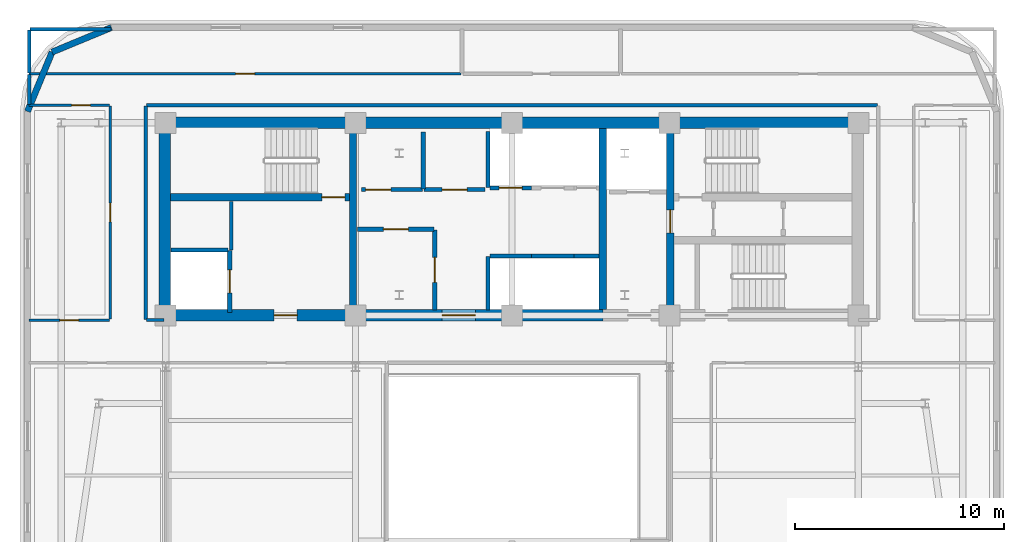
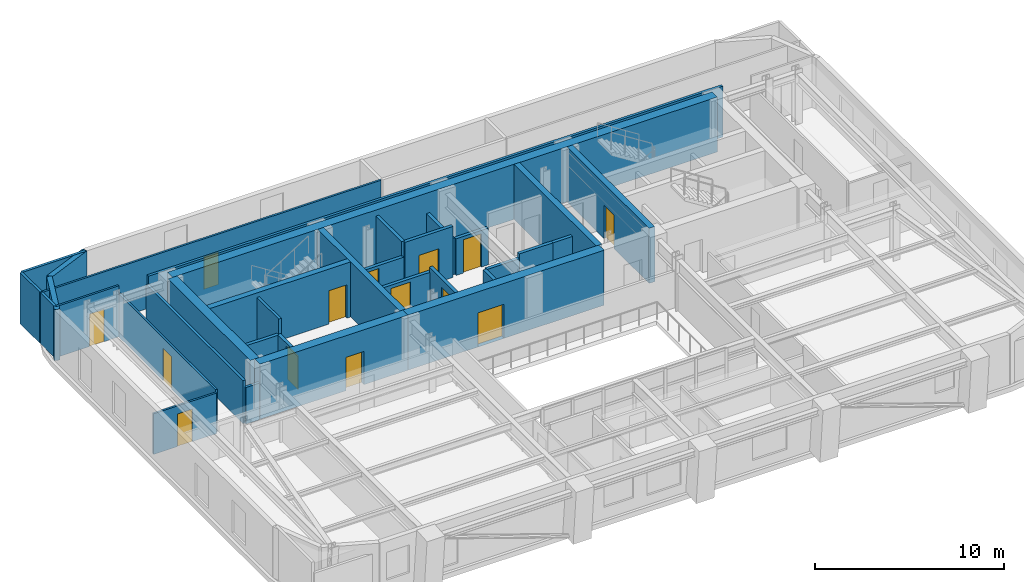
# One storey, part 7 of 13: 34 walls, 14 doors, 14 openings.
"""IFC4 building model written with IfcOpenShell, lengths in metres."""

from ifc_helpers import new_model, si_unit, direction, frame, frame_2d, origin, place, context, subcontext, project, spatial, rectangle, extrude, material, layer, layer_set, type_object, element, fill, save


model = new_model("IFC4")

# Units and contexts
model_context = context("Model", 3, precision=1e-05, world=origin(), true_north=direction((0.0, 1.0)))
body_context = subcontext(model_context, "Body", "Model", "MODEL_VIEW")
ifc_project = project(units=[si_unit("LENGTHUNIT", "METRE"), si_unit("AREAUNIT", "SQUARE_METRE"), si_unit("VOLUMEUNIT", "CUBIC_METRE"), si_unit("PLANEANGLEUNIT", "RADIAN"), si_unit("MASSUNIT", "GRAM", prefix="KILO")], contexts=[model_context])

# Site, building, storey
site_placement = place(None, origin())
site = spatial("IfcSite", under=ifc_project, at=site_placement, CompositionType="ELEMENT")
building_placement = place(site_placement, origin())
building = spatial("IfcBuilding", under=site, at=building_placement, Name="Zarnavel Station Tower", CompositionType="ELEMENT")
storey_placement = place(building_placement, frame((0.0, 0.0, 180.300048828125)))
storey = spatial("IfcBuildingStorey", under=building, at=storey_placement, Name="L49", CompositionType="ELEMENT", Elevation=180.300048828125)

# Walls
ifc_material_1 = material(Name="Concrete C50/60", Category="concrete")
ifc_layer_1 = layer(ifc_material_1, 0.35009765625)
ifc_layer_set_1 = layer_set([ifc_layer_1], Name="CW_350")
wall_type_1 = type_object("IfcWallType", Name="CW_350", PredefinedType="SHEAR", material=ifc_layer_set_1)
for number, where, z_axis, x_axis, name in (
    (1, (21.179931640625, 28.094970703125, 0.0), (0.0, 0.0, 1.0), (0.0, 1.0, 0.0), "L49 Rear Core Shear Wall DIV-W"),
    (2, (33.14990234375, 28.094970703125, 0.0), (0.0, 0.0, 1.0), (0.0, 1.0, 0.0), "L49 Rear Core Shear Wall DIV-E"),
):
    element("IfcWall", number, at=place(storey_placement, frame(where, z_axis=z_axis, x_axis=x_axis)), inside=storey, type_object=wall_type_1, Name=name, PredefinedType="SHEAR", context=body_context, shape_type="SweptSolid", body=[
        extrude(rectangle(XDim=8.679931640625, YDim=0.35009765625, at=frame_2d((4.33984375, 0.0))), origin(), (0.0, 0.0, 1.0), 3.550048828125),
    ])

# Wall, opening, door
wall_1_placement = place(storey_placement, frame((36.3798828125, 28.094970703125, 0.0), z_axis=(0.0, 0.0, 1.0), x_axis=(0.0, 1.0, 0.0)))
wall_1 = element("IfcWall", 3, at=wall_1_placement, inside=storey, type_object=wall_type_1, Name="L49 Rear Core Shear Wall DIV-S2", PredefinedType="SHEAR", context=body_context, shape_type="SweptSolid", body=[
    extrude(rectangle(XDim=8.679931640625, YDim=0.35009765625, at=frame_2d((4.33984375, 0.0))), origin(), (0.0, 0.0, 1.0), 3.550048828125),
])
opening_1_placement = place(wall_1_placement, frame((3.68505859375, 0.0, 0.0)))
opening_1 = element("IfcOpeningElement", 4, at=opening_1_placement, cuts=wall_1, Name="Opening FD01", PredefinedType="OPENING", context=body_context, shape_type="SweptSolid", body=[
    extrude(rectangle(XDim=1.10009765625, YDim=2.14990234375, at=frame_2d((0.550048828125, 1.074951171875))), frame((0.0, 0.18505859375, 0.0), z_axis=(0.0, -1.0, 0.0), x_axis=(1.0, 0.0, 0.0)), (0.0, 0.0, 1.0), 0.3701171875),
])
ifc_material_2 = material(Name="Painted Galvanised Steel and Hardwood Leaf", Category="steel")
door_type_1 = type_object("IfcDoorType", Name="ID_STAIR_1100", OperationType="NOTDEFINED", PredefinedType="DOOR", material=ifc_material_2)
door_1_placement = place(opening_1_placement, origin())
door_1 = element("IfcDoor", 5, at=door_1_placement, inside=storey, type_object=door_type_1, Name="L49 East Stair Vestibule Fire Door", OperationType="SINGLE_SWING_LEFT", OverallHeight=2.14990234375, OverallWidth=1.10009765625, PredefinedType="DOOR", context=body_context, shape_type="SweptSolid", body=[
    extrude(rectangle(XDim=1.10009765625, YDim=2.14990234375, at=frame_2d((0.550048828125, 1.074951171875))), frame((0.0, 0.02490234375, 0.0), z_axis=(0.0, -1.0, 0.0), x_axis=(1.0, 0.0, 0.0)), (0.0, 0.0, 1.0), 0.050048828125),
])
fill(opening_1, door_1)

wall_2_placement = place(storey_placement, frame((21.0048828125, 33.47998046875, 0.0), z_axis=(0.0, 0.0, 1.0), x_axis=(-1.0, 0.0, 0.0)))
wall_2 = element("IfcWall", 6, at=wall_2_placement, inside=storey, type_object=wall_type_1, Name="L49 Rear Core Shear Wall DIV-H1", PredefinedType="SHEAR", context=body_context, shape_type="SweptSolid", body=[
    extrude(rectangle(XDim=8.579833984375, YDim=0.35009765625, at=frame_2d((4.2900390625, 0.0))), origin(), (0.0, 0.0, 1.0), 3.550048828125),
])
opening_2_placement = place(wall_2_placement, frame((0.219970703125, 0.0, 0.0)))
opening_2 = element("IfcOpeningElement", 7, at=opening_2_placement, cuts=wall_2, Name="Opening FD01", PredefinedType="OPENING", context=body_context, shape_type="SweptSolid", body=[
    extrude(rectangle(XDim=1.10009765625, YDim=2.14990234375, at=frame_2d((0.550048828125, 1.074951171875))), frame((0.0, 0.18505859375, 0.0), z_axis=(0.0, -1.0, 0.0), x_axis=(1.0, 0.0, 0.0)), (0.0, 0.0, 1.0), 0.3701171875),
])
door_2_placement = place(opening_2_placement, origin())
door_2 = element("IfcDoor", 8, at=door_2_placement, inside=storey, type_object=door_type_1, Name="L49 Stair ST1 Lobby Fire Door", OperationType="SINGLE_SWING_LEFT", OverallHeight=2.14990234375, OverallWidth=1.10009765625, PredefinedType="DOOR", context=body_context, shape_type="SweptSolid", body=[
    extrude(rectangle(XDim=1.10009765625, YDim=2.14990234375, at=frame_2d((0.550048828125, 1.074951171875))), frame((0.0, 0.02490234375, 0.0), z_axis=(0.0, -1.0, 0.0), x_axis=(1.0, 0.0, 0.0)), (0.0, 0.0, 1.0), 0.050048828125),
])
fill(opening_2, door_2)

# Wall
ifc_material_3 = material(Name="Concrete C50/60", Category="concrete")
ifc_layer_2 = layer(ifc_material_3, 0.550048828125)
ifc_layer_set_2 = layer_set([ifc_layer_2], Name="CW_550")
wall_type_2 = type_object("IfcWallType", Name="CW_550", PredefinedType="SHEAR", material=ifc_layer_set_2)
wall_3_placement = place(storey_placement, frame((12.14990234375, 37.050048828125, 0.0), z_axis=(0.0, 0.0, 1.0), x_axis=(1.0, 0.0, 0.0)))
element("IfcWall", 9, at=wall_3_placement, inside=storey, type_object=wall_type_2, Name="L49 Rear Core Shear Wall N", PredefinedType="SHEAR", context=body_context, shape_type="SweptSolid", body=[
    extrude(rectangle(XDim=33.22998046875, YDim=0.550048828125, at=frame_2d((16.614990234375, 0.0))), origin(), (0.0, 0.0, 1.0), 3.550048828125),
])

# Wall, opening, door
wall_4_placement = place(storey_placement, frame((21.179931640625, 27.820068359375, 0.0), z_axis=(0.0, 0.0, 1.0), x_axis=(-1.0, 0.0, 0.0)))
wall_4 = element("IfcWall", 10, at=wall_4_placement, inside=storey, type_object=wall_type_2, Name="L49 Rear Core Shear Wall S-W", PredefinedType="SHEAR", context=body_context, shape_type="SweptSolid", body=[
    extrude(rectangle(XDim=9.030029296875, YDim=0.550048828125, at=frame_2d((4.51513671875, 0.0))), origin(), (0.0, 0.0, 1.0), 3.550048828125),
])
opening_3_placement = place(wall_4_placement, frame((2.679931640625, 0.0, 0.0)))
opening_3 = element("IfcOpeningElement", 11, at=opening_3_placement, cuts=wall_4, Name="Opening FD01", PredefinedType="OPENING", context=body_context, shape_type="SweptSolid", body=[
    extrude(rectangle(XDim=1.10009765625, YDim=2.14990234375, at=frame_2d((0.550048828125, 1.074951171875))), frame((0.0, 0.284912109375, 0.0), z_axis=(0.0, -1.0, 0.0), x_axis=(1.0, 0.0, 0.0)), (0.0, 0.0, 1.0), 0.570068359375),
])
door_3_placement = place(opening_3_placement, origin())
door_3 = element("IfcDoor", 12, at=door_3_placement, inside=storey, type_object=door_type_1, Name="L49 West Firefighting Lobby Door", OperationType="SINGLE_SWING_RIGHT", OverallHeight=2.14990234375, OverallWidth=1.10009765625, PredefinedType="DOOR", context=body_context, shape_type="SweptSolid", body=[
    extrude(rectangle(XDim=1.10009765625, YDim=2.14990234375, at=frame_2d((0.550048828125, 1.074951171875))), frame((0.0, 0.02490234375, 0.0), z_axis=(0.0, -1.0, 0.0), x_axis=(1.0, 0.0, 0.0)), (0.0, 0.0, 1.0), 0.050048828125),
])
fill(opening_3, door_3)

wall_5_placement = place(storey_placement, frame((33.14990234375, 27.820068359375, 0.0), z_axis=(0.0, 0.0, 1.0), x_axis=(-1.0, 0.0, 0.0)))
wall_5 = element("IfcWall", 13, at=wall_5_placement, inside=storey, type_object=wall_type_2, Name="L49 Rear Core Shear Wall S-M", PredefinedType="SHEAR", context=body_context, shape_type="SweptSolid", body=[
    extrude(rectangle(XDim=11.969970703125, YDim=0.550048828125, at=frame_2d((5.98486328125, 0.0))), origin(), (0.0, 0.0, 1.0), 3.550048828125),
])
opening_4_placement = place(wall_5_placement, frame((6.10009765625, 0.0, 0.0)))
opening_4 = element("IfcOpeningElement", 14, at=opening_4_placement, cuts=wall_5, Name="Opening ID03", PredefinedType="OPENING", context=body_context, shape_type="SweptSolid", body=[
    extrude(rectangle(XDim=1.60009765625, YDim=2.199951171875, at=frame_2d((0.800048828125, 1.10009765625))), frame((0.0, 0.284912109375, 0.0), z_axis=(0.0, -1.0, 0.0), x_axis=(1.0, 0.0, 0.0)), (0.0, 0.0, 1.0), 0.570068359375),
])
ifc_material_4 = material(Name="Painted Galvanised Steel and Hardwood Leaf", Category="steel")
door_type_2 = type_object("IfcDoorType", Name="ID_PUBLIC_1600", OperationType="DOUBLE_DOOR_SINGLE_SWING", PredefinedType="DOOR", material=ifc_material_4)
door_4_placement = place(opening_4_placement, origin())
door_4 = element("IfcDoor", 15, at=door_4_placement, inside=storey, type_object=door_type_2, Name="L49 Passenger Lift Lobby Double Door", OperationType="SINGLE_SWING_LEFT", OverallHeight=2.199951171875, OverallWidth=1.60009765625, PredefinedType="DOOR", context=body_context, shape_type="SweptSolid", body=[
    extrude(rectangle(XDim=1.60009765625, YDim=2.199951171875, at=frame_2d((0.800048828125, 1.10009765625))), frame((0.0, 0.02490234375, 0.0), z_axis=(0.0, -1.0, 0.0), x_axis=(1.0, 0.0, 0.0)), (0.0, 0.0, 1.0), 0.050048828125),
])
fill(opening_4, door_4)

# Walls
wall_6_placement = place(storey_placement, frame((12.14990234375, 28.094970703125, 0.0), z_axis=(0.0, 0.0, 1.0), x_axis=(0.0, 1.0, 0.0)))
element("IfcWall", 16, at=wall_6_placement, inside=storey, type_object=wall_type_2, Name="L49 Rear Core Shear Wall W", PredefinedType="SHEAR", context=body_context, shape_type="SweptSolid", body=[
    extrude(rectangle(XDim=8.679931640625, YDim=0.550048828125, at=frame_2d((4.33984375, 0.0))), origin(), (0.0, 0.0, 1.0), 3.550048828125),
])
ifc_material_5 = material(Name="Precast concrete C45/55 (Dark Basalt Finish)", Category="masonry")
ifc_layer_3 = layer(ifc_material_5, 0.300048828125)
ifc_layer_set_3 = layer_set([ifc_layer_3], Name="EW_BASALT_300")
wall_type_3 = type_object("IfcWallType", Name="EW_BASALT_300", PredefinedType="SOLIDWALL", material=ifc_layer_set_3)
wall_7_placement = place(storey_placement, frame((6.75732421875, 40.442626953125, 0.0), z_axis=(0.0, 0.0, 1.0), x_axis=(0.923882414032, 0.382676475685, 0.0)))
element("IfcWall", 17, at=wall_7_placement, inside=storey, type_object=wall_type_3, Name="L49 Exterior Basalt Masonry Frame Wall 07", PredefinedType="SOLIDWALL", context=body_context, shape_type="SweptSolid", body=[
    extrude(rectangle(XDim=3.076904296875, YDim=0.300048828125, at=frame_2d((1.53857421875, 0.0))), origin(), (0.0, 0.0, 1.0), 3.2900390625),
])
wall_8_placement = place(storey_placement, frame((5.580078125, 37.60009765625, 0.0), z_axis=(0.0, 0.0, 1.0), x_axis=(0.382636798336, 0.92389884758, 0.0)))
element("IfcWall", 18, at=wall_8_placement, inside=storey, type_object=wall_type_3, Name="L49 Exterior Basalt Masonry Frame Wall 08", PredefinedType="SOLIDWALL", context=body_context, shape_type="SweptSolid", body=[
    extrude(rectangle(XDim=3.07666015625, YDim=0.300048828125, at=frame_2d((1.538330078125, 0.0))), origin(), (0.0, 0.0, 1.0), 3.2900390625),
])
ifc_material_6 = material(Name="Gypsum Twin-Stud Acoustic Fire Partition", Category="concrete")
ifc_layer_4 = layer(ifc_material_6, 0.159912109375)
ifc_layer_set_4 = layer_set([ifc_layer_4], Name="PT_DEMISE_160")
wall_type_4 = type_object("IfcWallType", Name="PT_DEMISE_160", PredefinedType="PARTITIONING", material=ifc_layer_set_4)
wall_9_placement = place(storey_placement, frame((15.35009765625, 30.9599609375, 0.0), z_axis=(0.0, 0.0, 1.0), x_axis=(0.0, 1.0, 0.0)))
element("IfcWall", 19, at=wall_9_placement, inside=storey, type_object=wall_type_4, Name="L49 Enclosure Wall FFL1", PredefinedType="PARTITIONING", context=body_context, shape_type="SweptSolid", body=[
    extrude(rectangle(XDim=2.31005859375, YDim=0.159912109375, at=frame_2d((1.155029296875, 0.0))), origin(), (0.0, 0.0, 1.0), 3.2900390625),
])
wall_10_placement = place(storey_placement, frame((11.280029296875, 27.60009765625, 0.0), z_axis=(0.0, 0.0, 1.0), x_axis=(1.0, 0.0, 0.0)))
element("IfcWall", 20, at=wall_10_placement, inside=storey, type_object=wall_type_4, Name="L49 Enclosure Wall COR-S", PredefinedType="PARTITIONING", context=body_context, shape_type="SweptSolid", body=[
    extrude(rectangle(XDim=0.840087890625, YDim=0.159912109375, at=frame_2d((0.419921875, 0.0))), origin(), (0.0, 0.0, 1.0), 2.35986328125),
])
wall_11_placement = place(storey_placement, frame((11.25, 27.6298828125, 0.0), z_axis=(0.0, 0.0, 1.0), x_axis=(0.0, 1.0, 0.0)))
element("IfcWall", 21, at=wall_11_placement, inside=storey, type_object=wall_type_4, Name="L49 Enclosure Wall COR-W", PredefinedType="PARTITIONING", context=body_context, shape_type="SweptSolid", body=[
    extrude(rectangle(XDim=10.240234375, YDim=0.159912109375, at=frame_2d((5.1201171875, 0.0))), origin(), (0.0, 0.0, 1.0), 2.77001953125),
])
wall_12_placement = place(storey_placement, frame((11.280029296875, 37.89990234375, 0.0), z_axis=(0.0, 0.0, 1.0), x_axis=(1.0, 0.0, 0.0)))
element("IfcWall", 22, at=wall_12_placement, inside=storey, type_object=wall_type_4, Name="L49 Enclosure Wall COR-N", PredefinedType="PARTITIONING", context=body_context, shape_type="SweptSolid", body=[
    extrude(rectangle(XDim=35.0400390625, YDim=0.159912109375, at=frame_2d((17.52001953125, 0.0))), origin(), (0.0, 0.0, 1.0), 3.2900390625),
])
wall_13_placement = place(storey_placement, frame((5.659912109375, 37.929931640625, 0.0), z_axis=(0.0, 0.0, 1.0), x_axis=(0.0, 1.0, 0.0)))
element("IfcWall", 23, at=wall_13_placement, inside=storey, type_object=wall_type_4, Name="L49 Enclosure Wall COR-N", PredefinedType="PARTITIONING", context=body_context, shape_type="SweptSolid", body=[
    extrude(rectangle(XDim=1.440185546875, YDim=0.159912109375, at=frame_2d((0.72021484375, 0.0))), origin(), (0.0, 0.0, 1.0), 3.2900390625),
])
wall_14_placement = place(storey_placement, frame((5.68994140625, 41.5400390625, 0.0), z_axis=(0.0, 0.0, 1.0), x_axis=(1.0, 0.0, 0.0)))
element("IfcWall", 24, at=wall_14_placement, inside=storey, type_object=wall_type_4, Name="L49 Enclosure Wall NSTD", PredefinedType="PARTITIONING", context=body_context, shape_type="SweptSolid", body=[
    extrude(rectangle(XDim=3.880126953125, YDim=0.159912109375, at=frame_2d((1.93994140625, 0.0))), origin(), (0.0, 0.0, 1.0), 3.2900390625),
])
wall_15_placement = place(storey_placement, frame((5.659912109375, 39.429931640625, 0.0), z_axis=(0.0, 0.0, 1.0), x_axis=(0.0, 1.0, 0.0)))
element("IfcWall", 25, at=wall_15_placement, inside=storey, type_object=wall_type_4, Name="L49 Enclosure Wall NSTD", PredefinedType="PARTITIONING", context=body_context, shape_type="SweptSolid", body=[
    extrude(rectangle(XDim=2.080078125, YDim=0.159912109375, at=frame_2d((1.0400390625, 0.0))), origin(), (0.0, 0.0, 1.0), 3.2900390625),
])

# Wall, opening, door
ifc_material_7 = material(Name="Gypsum Metal-Stud Interior Partition", Category="concrete")
ifc_layer_5 = layer(ifc_material_7, 0.1201171875)
ifc_layer_set_5 = layer_set([ifc_layer_5], Name="PT_ROOM_120")
wall_type_5 = type_object("IfcWallType", Name="PT_ROOM_120", PredefinedType="PARTITIONING", material=ifc_layer_set_5)
wall_16_placement = place(storey_placement, frame((5.659912109375, 27.60009765625, 0.0), z_axis=(0.0, 0.0, 1.0), x_axis=(1.0, 0.0, 0.0)))
wall_16 = element("IfcWall", 26, at=wall_16_placement, inside=storey, type_object=wall_type_5, Name="L49 Partition COR-S-FNW", PredefinedType="PARTITIONING", context=body_context, shape_type="SweptSolid", body=[
    extrude(rectangle(XDim=3.85009765625, YDim=0.1201171875, at=frame_2d((1.925048828125, 0.0))), origin(), (0.0, 0.0, 1.0), 2.619873046875),
])
opening_5_placement = place(wall_16_placement, frame((1.47509765625, 0.0, 0.0)))
opening_5 = element("IfcOpeningElement", 27, at=opening_5_placement, cuts=wall_16, Name="Opening ID01", PredefinedType="OPENING", context=body_context, shape_type="SweptSolid", body=[
    extrude(rectangle(XDim=0.89990234375, YDim=2.10009765625, at=frame_2d((0.449951171875, 1.050048828125))), frame((0.0, 0.070068359375, 0.0), z_axis=(0.0, -1.0, 0.0), x_axis=(1.0, 0.0, 0.0)), (0.0, 0.0, 1.0), 0.14013671875),
])
ifc_material_8 = material(Name="Painted Galvanised Steel and Hardwood Leaf", Category="steel")
door_type_3 = type_object("IfcDoorType", Name="ID_ROOM_900", OperationType="NOTDEFINED", PredefinedType="DOOR", material=ifc_material_8)
door_5_placement = place(opening_5_placement, origin())
door_5 = element("IfcDoor", 28, at=door_5_placement, inside=storey, type_object=door_type_3, Name="L49 Door COR-S-FNW", OperationType="SINGLE_SWING_RIGHT", OverallHeight=2.10009765625, OverallWidth=0.89990234375, PredefinedType="DOOR", context=body_context, shape_type="SweptSolid", body=[
    extrude(rectangle(XDim=0.89990234375, YDim=2.10009765625, at=frame_2d((0.449951171875, 1.050048828125))), frame((0.0, 0.02490234375, 0.0), z_axis=(0.0, -1.0, 0.0), x_axis=(1.0, 0.0, 0.0)), (0.0, 0.0, 1.0), 0.050048828125),
])
fill(opening_5, door_5)

wall_17_placement = place(storey_placement, frame((9.550048828125, 27.639892578125, 0.0), z_axis=(0.0, 0.0, 1.0), x_axis=(0.0, 1.0, 0.0)))
wall_17 = element("IfcWall", 29, at=wall_17_placement, inside=storey, type_object=wall_type_5, Name="L49 Partition COR-W-FNW", PredefinedType="PARTITIONING", context=body_context, shape_type="SweptSolid", body=[
    extrude(rectangle(XDim=10.22021484375, YDim=0.1201171875, at=frame_2d((5.110107421875, 0.0))), origin(), (0.0, 0.0, 1.0), 2.77001953125),
])
opening_6_placement = place(wall_17_placement, frame((4.659912109375, 0.0, 0.0)))
opening_6 = element("IfcOpeningElement", 30, at=opening_6_placement, cuts=wall_17, Name="Opening ID01", PredefinedType="OPENING", context=body_context, shape_type="SweptSolid", body=[
    extrude(rectangle(XDim=0.89990234375, YDim=2.10009765625, at=frame_2d((0.449951171875, 1.050048828125))), frame((0.0, 0.070068359375, 0.0), z_axis=(0.0, -1.0, 0.0), x_axis=(1.0, 0.0, 0.0)), (0.0, 0.0, 1.0), 0.14013671875),
])
door_6_placement = place(opening_6_placement, origin())
door_6 = element("IfcDoor", 31, at=door_6_placement, inside=storey, type_object=door_type_3, Name="L49 Door COR-W-FNW", OperationType="SINGLE_SWING_LEFT", OverallHeight=2.10009765625, OverallWidth=0.89990234375, PredefinedType="DOOR", context=body_context, shape_type="SweptSolid", body=[
    extrude(rectangle(XDim=0.89990234375, YDim=2.10009765625, at=frame_2d((0.449951171875, 1.050048828125))), frame((0.0, 0.02490234375, 0.0), z_axis=(0.0, -1.0, 0.0), x_axis=(1.0, 0.0, 0.0)), (0.0, 0.0, 1.0), 0.050048828125),
])
fill(opening_6, door_6)

wall_18_placement = place(storey_placement, frame((5.659912109375, 37.89990234375, 0.0), z_axis=(0.0, 0.0, 1.0), x_axis=(1.0, 0.0, 0.0)))
wall_18 = element("IfcWall", 32, at=wall_18_placement, inside=storey, type_object=wall_type_5, Name="L49 Partition COR-N-FNW", PredefinedType="PARTITIONING", context=body_context, shape_type="SweptSolid", body=[
    extrude(rectangle(XDim=3.85009765625, YDim=0.1201171875, at=frame_2d((1.925048828125, 0.0))), origin(), (0.0, 0.0, 1.0), 3.2900390625),
])
opening_7_placement = place(wall_18_placement, frame((2.03125, 0.0, 0.0)))
opening_7 = element("IfcOpeningElement", 33, at=opening_7_placement, cuts=wall_18, Name="Opening ID01", PredefinedType="OPENING", context=body_context, shape_type="SweptSolid", body=[
    extrude(rectangle(XDim=0.89990234375, YDim=2.10009765625, at=frame_2d((0.449951171875, 1.050048828125))), frame((0.0, 0.070068359375, 0.0), z_axis=(0.0, -1.0, 0.0), x_axis=(1.0, 0.0, 0.0)), (0.0, 0.0, 1.0), 0.14013671875),
])
door_7_placement = place(opening_7_placement, origin())
door_7 = element("IfcDoor", 34, at=door_7_placement, inside=storey, type_object=door_type_3, Name="L49 Door COR-N-FNW", OperationType="SINGLE_SWING_LEFT", OverallHeight=2.10009765625, OverallWidth=0.89990234375, PredefinedType="DOOR", context=body_context, shape_type="SweptSolid", body=[
    extrude(rectangle(XDim=0.89990234375, YDim=2.10009765625, at=frame_2d((0.449951171875, 1.050048828125))), frame((0.0, 0.02490234375, 0.0), z_axis=(0.0, -1.0, 0.0), x_axis=(1.0, 0.0, 0.0)), (0.0, 0.0, 1.0), 0.050048828125),
])
fill(opening_7, door_7)

wall_19_placement = place(storey_placement, frame((5.659912109375, 39.39990234375, 0.0), z_axis=(0.0, 0.0, 1.0), x_axis=(1.0, 0.0, 0.0)))
wall_19 = element("IfcWall", 35, at=wall_19_placement, inside=storey, type_object=wall_type_5, Name="L49 Partition COR-N-NSTD", PredefinedType="PARTITIONING", context=body_context, shape_type="SweptSolid", body=[
    extrude(rectangle(XDim=20.7001953125, YDim=0.1201171875, at=frame_2d((10.35009765625, 0.0))), origin(), (0.0, 0.0, 1.0), 3.2900390625),
])
opening_8_placement = place(wall_19_placement, frame((9.89990234375, 0.0, 0.0)))
opening_8 = element("IfcOpeningElement", 36, at=opening_8_placement, cuts=wall_19, Name="Opening ID01", PredefinedType="OPENING", context=body_context, shape_type="SweptSolid", body=[
    extrude(rectangle(XDim=0.89990234375, YDim=2.10009765625, at=frame_2d((0.449951171875, 1.050048828125))), frame((0.0, 0.070068359375, 0.0), z_axis=(0.0, -1.0, 0.0), x_axis=(1.0, 0.0, 0.0)), (0.0, 0.0, 1.0), 0.14013671875),
])
door_8_placement = place(opening_8_placement, origin())
door_8 = element("IfcDoor", 37, at=door_8_placement, inside=storey, type_object=door_type_3, Name="L49 Door COR-N-NSTD", OperationType="SINGLE_SWING_LEFT", OverallHeight=2.10009765625, OverallWidth=0.89990234375, PredefinedType="DOOR", context=body_context, shape_type="SweptSolid", body=[
    extrude(rectangle(XDim=0.89990234375, YDim=2.10009765625, at=frame_2d((0.449951171875, 1.050048828125))), frame((0.0, 0.02490234375, 0.0), z_axis=(0.0, -1.0, 0.0), x_axis=(1.0, 0.0, 0.0)), (0.0, 0.0, 1.0), 0.050048828125),
])
fill(opening_8, door_8)

ifc_material_9 = material(Name="Precast concrete C45/55 (Fire Shaft Blockwork)", Category="masonry")
ifc_layer_6 = layer(ifc_material_9, 0.199951171875)
ifc_layer_set_6 = layer_set([ifc_layer_6], Name="PT_SHAFT_200")
wall_type_6 = type_object("IfcWallType", Name="PT_SHAFT_200", PredefinedType="PARTITIONING", material=ifc_layer_set_6)
wall_20_placement = place(storey_placement, frame((15.27001953125, 27.969970703125, 0.0), z_axis=(0.0, 0.0, 1.0), x_axis=(0.0, 1.0, 0.0)))
wall_20 = element("IfcWall", 38, at=wall_20_placement, inside=storey, type_object=wall_type_6, Name="L49 Lift FFL-01 Shaft Front Wall", PredefinedType="PARTITIONING", context=body_context, shape_type="SweptSolid", body=[
    extrude(rectangle(XDim=2.9599609375, YDim=0.199951171875, at=frame_2d((1.47998046875, 0.0))), origin(), (0.0, 0.0, 1.0), 2.35986328125),
])
opening_9_placement = place(wall_20_placement, frame((0.929931640625, 0.0, 0.0)))
opening_9 = element("IfcOpeningElement", 39, at=opening_9_placement, cuts=wall_20, Name="Opening LD01", PredefinedType="OPENING", context=body_context, shape_type="SweptSolid", body=[
    extrude(rectangle(XDim=1.10009765625, YDim=2.14990234375, at=frame_2d((0.550048828125, 1.074951171875))), frame((0.0, 0.10986328125, 0.0), z_axis=(0.0, -1.0, 0.0), x_axis=(1.0, 0.0, 0.0)), (0.0, 0.0, 1.0), 0.219970703125),
])
ifc_material_10 = material(Name="Painted Galvanised Steel and Hardwood Leaf", Category="steel")
door_type_4 = type_object("IfcDoorType", Name="LD_FF_1100", OperationType="DOUBLE_DOOR_SLIDING", PredefinedType="DOOR", material=ifc_material_10)
door_9_placement = place(opening_9_placement, origin())
door_9 = element("IfcDoor", 40, at=door_9_placement, inside=storey, type_object=door_type_4, Name="L49 Lift FFL-01 Sliding Landing Door", OperationType="DOUBLE_DOOR_SLIDING", OverallHeight=2.14990234375, OverallWidth=1.10009765625, PredefinedType="DOOR", context=body_context, shape_type="SweptSolid", body=[
    extrude(rectangle(XDim=1.10009765625, YDim=2.14990234375, at=frame_2d((0.550048828125, 1.074951171875))), frame((0.0, 0.02490234375, 0.0), z_axis=(0.0, -1.0, 0.0), x_axis=(1.0, 0.0, 0.0)), (0.0, 0.0, 1.0), 0.050048828125),
])
fill(opening_9, door_9)

# Walls
wall_21_placement = place(storey_placement, frame((12.449951171875, 30.949951171875, 0.0), z_axis=(0.0, 0.0, 1.0), x_axis=(1.0, 0.0, 0.0)))
element("IfcWall", 41, at=wall_21_placement, inside=storey, type_object=wall_type_6, Name="L49 Lift FFL-01 North Shaft Wall", PredefinedType="PARTITIONING", context=body_context, shape_type="SweptSolid", body=[
    extrude(rectangle(XDim=2.75, YDim=0.199951171875, at=frame_2d((1.375, 0.0))), origin(), (0.0, 0.0, 1.0), 2.35986328125),
])
wall_22_placement = place(storey_placement, frame((27.75, 30.669921875, 0.0), z_axis=(0.0, 0.0, 1.0), x_axis=(1.0, 0.0, 0.0)))
element("IfcWall", 42, at=wall_22_placement, inside=storey, type_object=wall_type_6, Name="L49 Lift PL-H1 Shaft Front Wall", PredefinedType="PARTITIONING", context=body_context, shape_type="SweptSolid", body=[
    extrude(rectangle(XDim=1.97509765625, YDim=0.199951171875, at=frame_2d((0.987548828125, 0.0))), origin(), (0.0, 0.0, 1.0), 2.35986328125),
])
wall_23_placement = place(storey_placement, frame((27.64990234375, 28.070068359375, 0.0), z_axis=(0.0, 0.0, 1.0), x_axis=(0.0, 1.0, 0.0)))
element("IfcWall", 43, at=wall_23_placement, inside=storey, type_object=wall_type_6, Name="L49 High-Rise Lift Bank West Shaft Wall", PredefinedType="PARTITIONING", context=body_context, shape_type="SweptSolid", body=[
    extrude(rectangle(XDim=2.579833984375, YDim=0.199951171875, at=frame_2d((1.2900390625, 0.0))), origin(), (0.0, 0.0, 1.0), 2.35986328125),
])
wall_24_placement = place(storey_placement, frame((29.72509765625, 30.669921875, 0.0), z_axis=(0.0, 0.0, 1.0), x_axis=(1.0, 0.0, 0.0)))
element("IfcWall", 44, at=wall_24_placement, inside=storey, type_object=wall_type_6, Name="L49 Lift PL-H2 Shaft Front Wall", PredefinedType="PARTITIONING", context=body_context, shape_type="SweptSolid", body=[
    extrude(rectangle(XDim=2.0498046875, YDim=0.199951171875, at=frame_2d((1.02490234375, 0.0))), origin(), (0.0, 0.0, 1.0), 2.669921875),
])
wall_25_placement = place(storey_placement, frame((31.77490234375, 30.669921875, 0.0), z_axis=(0.0, 0.0, 1.0), x_axis=(1.0, 0.0, 0.0)))
element("IfcWall", 45, at=wall_25_placement, inside=storey, type_object=wall_type_6, Name="L49 Lift PL-H3 Shaft Front Wall", PredefinedType="PARTITIONING", context=body_context, shape_type="SweptSolid", body=[
    extrude(rectangle(XDim=1.2001953125, YDim=0.199951171875, at=frame_2d((0.60009765625, 0.0))), origin(), (0.0, 0.0, 1.0), 2.669921875),
])

# Wall, opening, door
wall_26_placement = place(storey_placement, frame((27.75, 33.929931640625, 0.0), z_axis=(0.0, 0.0, 1.0), x_axis=(1.0, 0.0, 0.0)))
wall_26 = element("IfcWall", 46, at=wall_26_placement, inside=storey, type_object=wall_type_6, Name="L49 Lift PL-M1 Shaft Front Wall", PredefinedType="PARTITIONING", context=body_context, shape_type="SweptSolid", body=[
    extrude(rectangle(XDim=1.97509765625, YDim=0.199951171875, at=frame_2d((0.987548828125, 0.0))), origin(), (0.0, 0.0, 1.0), 2.35986328125),
])
opening_10_placement = place(wall_26_placement, frame((0.4375, 0.0, 0.0)))
opening_10 = element("IfcOpeningElement", 47, at=opening_10_placement, cuts=wall_26, Name="Opening LD02", PredefinedType="OPENING", context=body_context, shape_type="SweptSolid", body=[
    extrude(rectangle(XDim=1.10009765625, YDim=2.14990234375, at=frame_2d((0.550048828125, 1.074951171875))), frame((0.0, 0.10986328125, 0.0), z_axis=(0.0, -1.0, 0.0), x_axis=(1.0, 0.0, 0.0)), (0.0, 0.0, 1.0), 0.219970703125),
])
ifc_material_11 = material(Name="Painted Galvanised Steel and Hardwood Leaf", Category="steel")
door_type_5 = type_object("IfcDoorType", Name="LD_PAX_1100", OperationType="DOUBLE_DOOR_SLIDING", PredefinedType="DOOR", material=ifc_material_11)
door_10_placement = place(opening_10_placement, origin())
door_10 = element("IfcDoor", 48, at=door_10_placement, inside=storey, type_object=door_type_5, Name="L49 Lift PL-M1 Sliding Landing Door", OperationType="DOUBLE_DOOR_SLIDING", OverallHeight=2.14990234375, OverallWidth=1.10009765625, PredefinedType="DOOR", context=body_context, shape_type="SweptSolid", body=[
    extrude(rectangle(XDim=1.10009765625, YDim=2.14990234375, at=frame_2d((0.550048828125, 1.074951171875))), frame((0.0, 0.02490234375, 0.0), z_axis=(0.0, -1.0, 0.0), x_axis=(1.0, 0.0, 0.0)), (0.0, 0.0, 1.0), 0.050048828125),
])
fill(opening_10, door_10)

# Wall
wall_27_placement = place(storey_placement, frame((27.64990234375, 33.949951171875, 0.0), z_axis=(0.0, 0.0, 1.0), x_axis=(0.0, 1.0, 0.0)))
element("IfcWall", 49, at=wall_27_placement, inside=storey, type_object=wall_type_6, Name="L49 Mid-Rise Lift Bank West Shaft Wall", PredefinedType="PARTITIONING", context=body_context, shape_type="SweptSolid", body=[
    extrude(rectangle(XDim=2.679931640625, YDim=0.199951171875, at=frame_2d((1.33984375, 0.0))), origin(), (0.0, 0.0, 1.0), 2.35986328125),
])

# Wall, opening, door
wall_28_placement = place(storey_placement, frame((21.39990234375, 31.949951171875, 0.0), z_axis=(0.0, 0.0, 1.0), x_axis=(1.0, 0.0, 0.0)))
wall_28 = element("IfcWall", 50, at=wall_28_placement, inside=storey, type_object=wall_type_6, Name="L49 Partition LLOB-CS1", PredefinedType="PARTITIONING", context=body_context, shape_type="SweptSolid", body=[
    extrude(rectangle(XDim=3.66015625, YDim=0.199951171875, at=frame_2d((1.830078125, 0.0))), origin(), (0.0, 0.0, 1.0), 2.35986328125),
])
opening_11_placement = place(wall_28_placement, frame((1.22998046875, 0.0, 0.0)))
opening_11 = element("IfcOpeningElement", 51, at=opening_11_placement, cuts=wall_28, Name="Opening FD03", PredefinedType="OPENING", context=body_context, shape_type="SweptSolid", body=[
    extrude(rectangle(XDim=1.199951171875, YDim=2.14990234375, at=frame_2d((0.60009765625, 1.074951171875))), frame((0.0, 0.10986328125, 0.0), z_axis=(0.0, -1.0, 0.0), x_axis=(1.0, 0.0, 0.0)), (0.0, 0.0, 1.0), 0.219970703125),
])
ifc_material_12 = material(Name="Painted Galvanised Steel and Hardwood Leaf", Category="steel")
door_type_6 = type_object("IfcDoorType", Name="ID_PLANT_1200", OperationType="NOTDEFINED", PredefinedType="DOOR", material=ifc_material_12)
door_11_placement = place(opening_11_placement, origin())
door_11 = element("IfcDoor", 52, at=door_11_placement, inside=storey, type_object=door_type_6, Name="L49 Door LLOB-CS1", OperationType="SINGLE_SWING_RIGHT", OverallHeight=2.14990234375, OverallWidth=1.199951171875, PredefinedType="DOOR", context=body_context, shape_type="SweptSolid", body=[
    extrude(rectangle(XDim=1.199951171875, YDim=2.14990234375, at=frame_2d((0.60009765625, 1.074951171875))), frame((0.0, 0.02490234375, 0.0), z_axis=(0.0, -1.0, 0.0), x_axis=(1.0, 0.0, 0.0)), (0.0, 0.0, 1.0), 0.050048828125),
])
fill(opening_11, door_11)

wall_29_placement = place(storey_placement, frame((21.590087890625, 33.85009765625, 0.0), z_axis=(0.0, 0.0, 1.0), x_axis=(1.0, 0.0, 0.0)))
wall_29 = element("IfcWall", 53, at=wall_29_placement, inside=storey, type_object=wall_type_6, Name="L49 Partition LLOB-FB1A", PredefinedType="PARTITIONING", context=body_context, shape_type="SweptSolid", body=[
    extrude(rectangle(XDim=2.919921875, YDim=0.199951171875, at=frame_2d((1.4599609375, 0.0))), origin(), (0.0, 0.0, 1.0), 2.35986328125),
])
opening_12_placement = place(wall_29_placement, frame((0.199951171875, 0.0, 0.0)))
opening_12 = element("IfcOpeningElement", 54, at=opening_12_placement, cuts=wall_29, Name="Opening FD03", PredefinedType="OPENING", context=body_context, shape_type="SweptSolid", body=[
    extrude(rectangle(XDim=1.199951171875, YDim=2.14990234375, at=frame_2d((0.60009765625, 1.074951171875))), frame((0.0, 0.10986328125, 0.0), z_axis=(0.0, -1.0, 0.0), x_axis=(1.0, 0.0, 0.0)), (0.0, 0.0, 1.0), 0.219970703125),
])
door_12_placement = place(opening_12_placement, origin())
door_12 = element("IfcDoor", 55, at=door_12_placement, inside=storey, type_object=door_type_6, Name="L49 Door LLOB-FB1A", OperationType="SINGLE_SWING_LEFT", OverallHeight=2.14990234375, OverallWidth=1.199951171875, PredefinedType="DOOR", context=body_context, shape_type="SweptSolid", body=[
    extrude(rectangle(XDim=1.199951171875, YDim=2.14990234375, at=frame_2d((0.60009765625, 1.074951171875))), frame((0.0, 0.02490234375, 0.0), z_axis=(0.0, -1.0, 0.0), x_axis=(1.0, 0.0, 0.0)), (0.0, 0.0, 1.0), 0.050048828125),
])
fill(opening_12, door_12)

wall_30_placement = place(storey_placement, frame((24.590087890625, 33.85009765625, 0.0), z_axis=(0.0, 0.0, 1.0), x_axis=(1.0, 0.0, 0.0)))
wall_30 = element("IfcWall", 56, at=wall_30_placement, inside=storey, type_object=wall_type_6, Name="L49 Partition LLOB-FB1B", PredefinedType="PARTITIONING", context=body_context, shape_type="SweptSolid", body=[
    extrude(rectangle(XDim=2.919921875, YDim=0.199951171875, at=frame_2d((1.4599609375, 0.0))), origin(), (0.0, 0.0, 1.0), 3.2900390625),
])
opening_13_placement = place(wall_30_placement, frame((0.860107421875, 0.0, 0.0)))
opening_13 = element("IfcOpeningElement", 57, at=opening_13_placement, cuts=wall_30, Name="Opening FD03", PredefinedType="OPENING", context=body_context, shape_type="SweptSolid", body=[
    extrude(rectangle(XDim=1.199951171875, YDim=2.14990234375, at=frame_2d((0.60009765625, 1.074951171875))), frame((0.0, 0.10986328125, 0.0), z_axis=(0.0, -1.0, 0.0), x_axis=(1.0, 0.0, 0.0)), (0.0, 0.0, 1.0), 0.219970703125),
])
door_13_placement = place(opening_13_placement, origin())
door_13 = element("IfcDoor", 58, at=door_13_placement, inside=storey, type_object=door_type_6, Name="L49 Door LLOB-FB1B", OperationType="SINGLE_SWING_RIGHT", OverallHeight=2.14990234375, OverallWidth=1.199951171875, PredefinedType="DOOR", context=body_context, shape_type="SweptSolid", body=[
    extrude(rectangle(XDim=1.199951171875, YDim=2.14990234375, at=frame_2d((0.60009765625, 1.074951171875))), frame((0.0, 0.02490234375, 0.0), z_axis=(0.0, -1.0, 0.0), x_axis=(1.0, 0.0, 0.0)), (0.0, 0.0, 1.0), 0.050048828125),
])
fill(opening_13, door_13)

wall_31_placement = place(storey_placement, frame((25.10009765625, 28.090087890625, 0.0), z_axis=(0.0, 0.0, 1.0), x_axis=(0.0, 1.0, 0.0)))
wall_31 = element("IfcWall", 59, at=wall_31_placement, inside=storey, type_object=wall_type_6, Name="L49 Partition LLOBS-CS1", PredefinedType="PARTITIONING", context=body_context, shape_type="SweptSolid", body=[
    extrude(rectangle(XDim=3.81982421875, YDim=0.199951171875, at=frame_2d((1.909912109375, 0.0))), origin(), (0.0, 0.0, 1.0), 2.669921875),
])
opening_14_placement = place(wall_31_placement, frame((1.31005859375, 0.0, 0.0)))
opening_14 = element("IfcOpeningElement", 60, at=opening_14_placement, cuts=wall_31, Name="Opening FD03", PredefinedType="OPENING", context=body_context, shape_type="SweptSolid", body=[
    extrude(rectangle(XDim=1.199951171875, YDim=2.14990234375, at=frame_2d((0.60009765625, 1.074951171875))), frame((0.0, 0.10986328125, 0.0), z_axis=(0.0, -1.0, 0.0), x_axis=(1.0, 0.0, 0.0)), (0.0, 0.0, 1.0), 0.219970703125),
])
door_14_placement = place(opening_14_placement, origin())
door_14 = element("IfcDoor", 61, at=door_14_placement, inside=storey, type_object=door_type_6, Name="L49 Door LLOBS-CS1", OperationType="SINGLE_SWING_LEFT", OverallHeight=2.14990234375, OverallWidth=1.199951171875, PredefinedType="DOOR", context=body_context, shape_type="SweptSolid", body=[
    extrude(rectangle(XDim=1.199951171875, YDim=2.14990234375, at=frame_2d((0.60009765625, 1.074951171875))), frame((0.0, 0.02490234375, 0.0), z_axis=(0.0, -1.0, 0.0), x_axis=(1.0, 0.0, 0.0)), (0.0, 0.0, 1.0), 0.050048828125),
])
fill(opening_14, door_14)

# Wall
wall_32_placement = place(storey_placement, frame((24.550048828125, 33.889892578125, 0.0), z_axis=(0.0, 0.0, 1.0), x_axis=(0.0, 1.0, 0.0)))
element("IfcWall", 62, at=wall_32_placement, inside=storey, type_object=wall_type_6, Name="L49 Partition FB1A-FB1B", PredefinedType="PARTITIONING", context=body_context, shape_type="SweptSolid", body=[
    extrude(rectangle(XDim=2.72021484375, YDim=0.199951171875, at=frame_2d((1.360107421875, 0.0))), origin(), (0.0, 0.0, 1.0), 3.2900390625),
])

save(model, "model.ifc")
